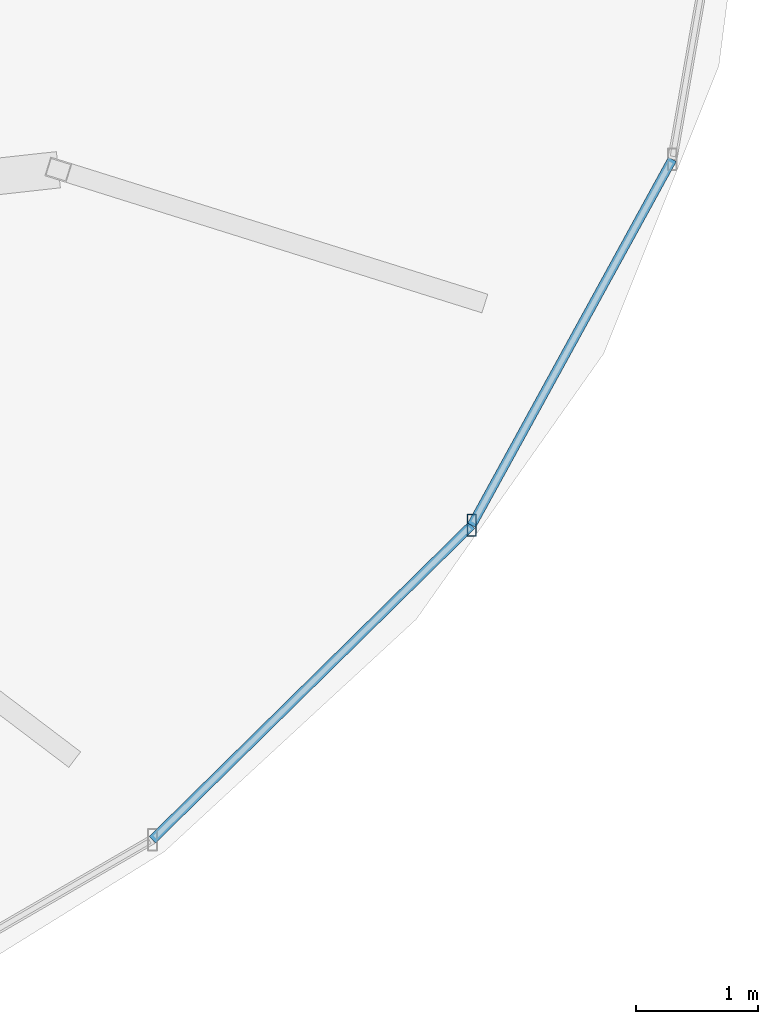
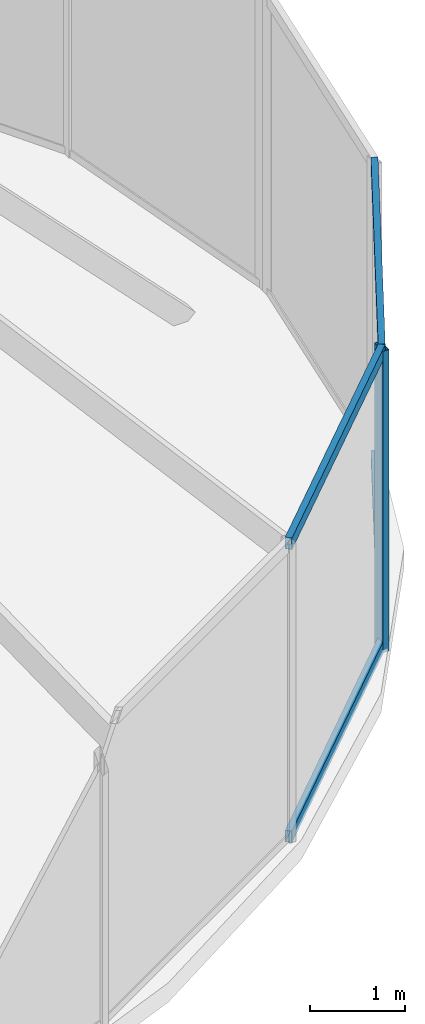
# One storey, part 6 of 13: 5 members, 1 element without a shape of its own.
"""IFC4 building model written with IfcOpenShell, lengths in metres."""

from ifc_helpers import new_model, si_unit, direction, frame, origin, origin_2d, place, context, subcontext, project, spatial, hollow_rectangle, extrude, material, material_profile, profile_set, type_object, element, aggregate, save


model = new_model("IFC4")

# Units and contexts
model_context = context("Model", 3, precision=1e-05, world=origin(), true_north=direction((0.0, 1.0)))
body_context = subcontext(model_context, "Body", "Model", "MODEL_VIEW")
ifc_project = project(units=[si_unit("LENGTHUNIT", "METRE"), si_unit("AREAUNIT", "SQUARE_METRE"), si_unit("VOLUMEUNIT", "CUBIC_METRE"), si_unit("PLANEANGLEUNIT", "RADIAN"), si_unit("MASSUNIT", "GRAM", prefix="KILO")], contexts=[model_context])

# Site, building, storey
site_placement = place(None, origin())
site = spatial("IfcSite", under=ifc_project, at=site_placement, CompositionType="ELEMENT")
building_placement = place(site_placement, origin())
building = spatial("IfcBuilding", under=site, at=building_placement, Name="Vorneva Point Tower", CompositionType="ELEMENT")
storey_placement = place(building_placement, frame((0.0, 0.0, 303.0)))
storey = spatial("IfcBuildingStorey", under=building, at=storey_placement, Name="C03", CompositionType="ELEMENT", Elevation=303.0)

# Curtain wall, members
ifc_material = material(Name="Pale anodised aluminium", Category="aluminium")
curtain_wall_type = type_object("IfcCurtainWallType", Name="CW-CRN-SYS", PredefinedType="NOTDEFINED", material=ifc_material)
curtain_wall_placement = place(storey_placement, origin())
curtain_wall = element("IfcCurtainWall", 1, at=curtain_wall_placement, inside=storey, type_object=curtain_wall_type, Name="C03 Unitised Curtain Wall CW-C03-Q4", PredefinedType="NOTDEFINED")
ifc_material_profile_1 = material_profile(ifc_material, hollow_rectangle(XDim=0.074951171875, YDim=0.179931640625, WallThickness=0.00390625, at=origin_2d()), Name="AL-MUL 180x75x4")
ifc_profile_set_1 = profile_set([ifc_material_profile_1], Name="Pale anodised aluminium")
member_type_1 = type_object("IfcMemberType", Name="CW-MUL-180", PredefinedType="MULLION", material=ifc_profile_set_1)
member_1_placement = place(storey_placement, frame((52.282470703125, 19.77001953125, -0.0400390625), z_axis=(0.0, 0.0, 1.0), x_axis=(1.0, 0.0, 0.0)))
member_1 = element("IfcMember", 2, at=member_1_placement, type_object=member_type_1, Name="CW-C03-Q4 Mullion 05", PredefinedType="MULLION", context=body_context, shape_type="SweptSolid", body=[
    extrude(hollow_rectangle(XDim=0.074951171875, YDim=0.179931640625, WallThickness=0.00390625, at=origin_2d()), origin(), (0.0, 0.0, 1.0), 3.8701171875),
])
ifc_material_profile_2 = material_profile(ifc_material, hollow_rectangle(XDim=0.074951171875, YDim=0.14990234375, WallThickness=0.00390625, at=origin_2d()), Name="AL-TRN 150x75x4")
ifc_profile_set_2 = profile_set([ifc_material_profile_2], Name="Pale anodised aluminium")
member_type_2 = type_object("IfcMemberType", Name="CW-TRN-150", PredefinedType="USERDEFINED", material=ifc_profile_set_2)
member_2_placement = place(storey_placement, frame((49.66162109375, 17.189453125, 0.02001953125), z_axis=(0.712561714087, 0.70160943809, 0.0), x_axis=(-0.70160943809, 0.712561714087, 0.0)))
member_2 = element("IfcMember", 3, at=member_2_placement, type_object=member_type_2, Name="CW-C03-Q4 Transom 04.1", ObjectType="TRANSOM", PredefinedType="USERDEFINED", context=body_context, shape_type="SweptSolid", body=[
    extrude(hollow_rectangle(XDim=0.074951171875, YDim=0.14990234375, WallThickness=0.00390625, at=origin_2d()), origin(), (0.0, 0.0, 1.0), 3.677978515625),
])
member_3_placement = place(storey_placement, frame((49.66162109375, 17.189453125, 3.780029296875), z_axis=(0.712561714087, 0.70160943809, 0.0), x_axis=(-0.70160943809, 0.712561714087, 0.0)))
member_3 = element("IfcMember", 4, at=member_3_placement, type_object=member_type_2, Name="CW-C03-Q4 Transom 04.2", ObjectType="TRANSOM", PredefinedType="USERDEFINED", context=body_context, shape_type="SweptSolid", body=[
    extrude(hollow_rectangle(XDim=0.074951171875, YDim=0.14990234375, WallThickness=0.00390625, at=origin_2d()), origin(), (0.0, 0.0, 1.0), 3.677978515625),
])
member_4_placement = place(storey_placement, frame((52.282470703125, 19.77001953125, 0.02001953125), z_axis=(0.480717770532, 0.876875376034, 0.0), x_axis=(-0.876875376034, 0.480717770532, 0.0)))
member_4 = element("IfcMember", 5, at=member_4_placement, type_object=member_type_2, Name="CW-C03-Q4 Transom 05.1", ObjectType="TRANSOM", PredefinedType="USERDEFINED", context=body_context, shape_type="SweptSolid", body=[
    extrude(hollow_rectangle(XDim=0.074951171875, YDim=0.14990234375, WallThickness=0.00390625, at=origin_2d()), origin(), (0.0, 0.0, 1.0), 3.427001953125),
])
member_5_placement = place(storey_placement, frame((52.282470703125, 19.77001953125, 3.780029296875), z_axis=(0.480717770532, 0.876875376034, 0.0), x_axis=(-0.876875376034, 0.480717770532, 0.0)))
member_5 = element("IfcMember", 6, at=member_5_placement, type_object=member_type_2, Name="CW-C03-Q4 Transom 05.2", ObjectType="TRANSOM", PredefinedType="USERDEFINED", context=body_context, shape_type="SweptSolid", body=[
    extrude(hollow_rectangle(XDim=0.074951171875, YDim=0.14990234375, WallThickness=0.00390625, at=origin_2d()), origin(), (0.0, 0.0, 1.0), 3.427001953125),
])
aggregate(curtain_wall, [member_1, member_2, member_3, member_4, member_5])

save(model, "model.ifc")
